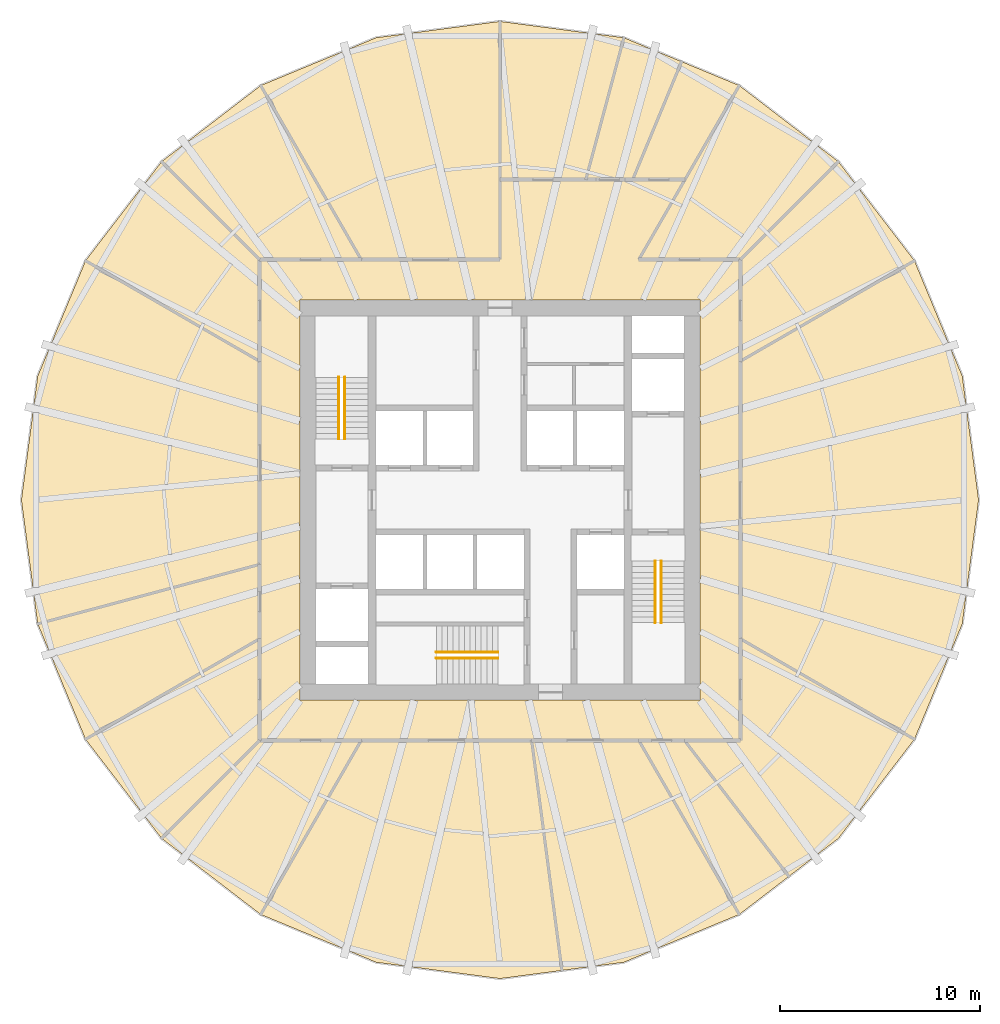
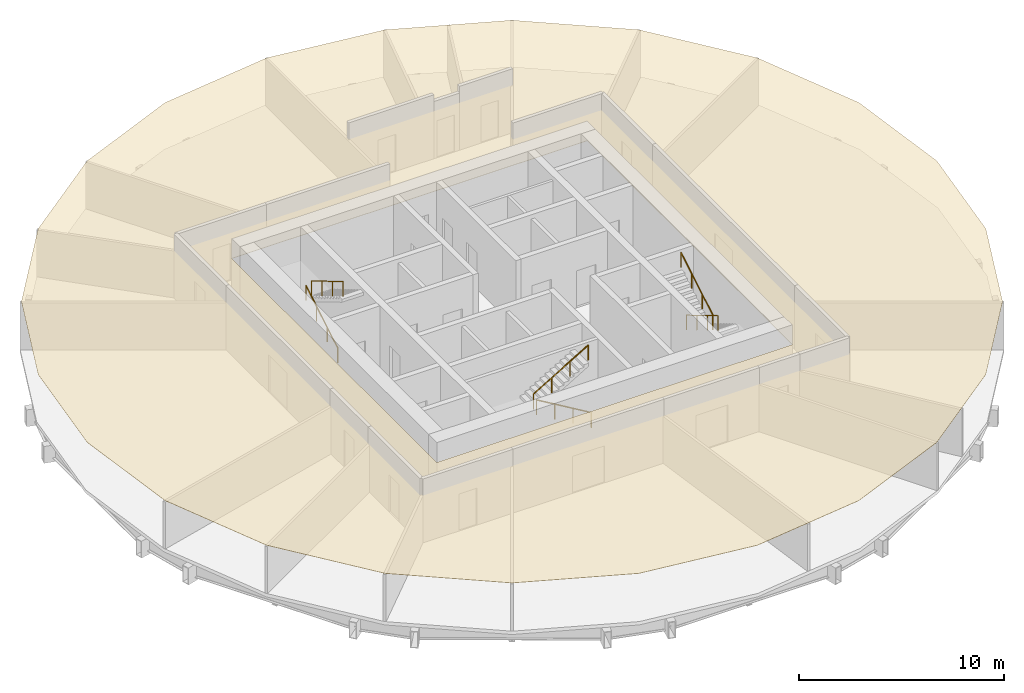
# One storey, part 6 of 6: 6 railings, 1 covering.
"""IFC4 building model written with IfcOpenShell, lengths in metres."""

from ifc_helpers import new_model, si_unit, direction, frame, origin, origin_2d, place, context, subcontext, project, spatial, polyline, circle, outline, extrude, material, layer, layer_set, type_object, element, save


model = new_model("IFC4")

# Units and contexts
model_context = context("Model", 3, precision=1e-05, world=origin(), true_north=direction((0.0, 1.0)))
body_context = subcontext(model_context, "Body", "Model", "MODEL_VIEW")
ifc_project = project(units=[si_unit("LENGTHUNIT", "METRE"), si_unit("AREAUNIT", "SQUARE_METRE"), si_unit("VOLUMEUNIT", "CUBIC_METRE"), si_unit("PLANEANGLEUNIT", "RADIAN"), si_unit("MASSUNIT", "GRAM", prefix="KILO")], contexts=[model_context])

# Site, building, storey
site_placement = place(None, origin())
site = spatial("IfcSite", under=ifc_project, at=site_placement, CompositionType="ELEMENT")
building_placement = place(site_placement, origin())
building = spatial("IfcBuilding", under=site, at=building_placement, Name="Golbaran Civic Tower", CompositionType="ELEMENT")
storey_placement = place(building_placement, frame((0.0, 0.0, 73.0)))
storey = spatial("IfcBuildingStorey", under=building, at=storey_placement, Name="L17", CompositionType="ELEMENT", Elevation=73.0)

# Railings
ifc_material_1 = material(Name="Stainless steel", Category="steel")
railing_type = type_object("IfcRailingType", Name="STAIR HANDRAIL 900", PredefinedType="HANDRAIL", material=ifc_material_1)
railing_1_placement = place(storey_placement, frame((-8.050048828125, 3.050048828125, 0.166748046875)))
element("IfcRailing", 1, at=railing_1_placement, inside=storey, type_object=railing_type, Name="Stair S1 handrail flight 1 L17", PredefinedType="HANDRAIL", context=body_context, shape_type="SweptSolid", body=[
    extrude(circle(Radius=0.02392578125, at=origin_2d()), frame((0.0, 0.0, 0.8759765625), z_axis=(0.0, 0.859290745958, 0.51148745235), x_axis=(-1.0, 0.0, 0.0)), (0.0, 0.0, 1.0), 3.584228515625),
    extrude(circle(Radius=0.02099609375, at=origin_2d()), origin(), (0.0, 0.0, 1.0), 0.851806640625),
    extrude(circle(Radius=0.02099609375, at=origin_2d()), frame((0.0, 1.026611328125, 0.611083984375)), (0.0, 0.0, 1.0), 0.851806640625),
    extrude(circle(Radius=0.02099609375, at=origin_2d()), frame((0.0, 2.05322265625, 1.22216796875)), (0.0, 0.0, 1.0), 0.851806640625),
    extrude(circle(Radius=0.02099609375, at=origin_2d()), frame((0.0, 3.079833984375, 1.833251953125)), (0.0, 0.0, 1.0), 0.851806640625),
])
for number, where, name in (
    (2, (-7.75, 6.1298828125, 2.166748046875), "Stair S1 handrail flight 2 L17"),
    (3, (8.050048828125, -3.050048828125, 0.166748046875), "Stair S2 handrail flight 1 L17"),
):
    element("IfcRailing", number, at=place(storey_placement, frame(where)), inside=storey, type_object=railing_type, Name=name, PredefinedType="HANDRAIL", context=body_context, shape_type="SweptSolid", body=[
        extrude(circle(Radius=0.02392578125, at=origin_2d()), frame((0.0, 0.0, 0.8759765625), z_axis=(0.0, -0.859290745958, 0.51148745235), x_axis=(1.0, 0.0, 0.0)), (0.0, 0.0, 1.0), 3.584228515625),
        extrude(circle(Radius=0.02099609375, at=origin_2d()), origin(), (0.0, 0.0, 1.0), 0.851806640625),
        extrude(circle(Radius=0.02099609375, at=origin_2d()), frame((0.0, -1.026611328125, 0.611083984375)), (0.0, 0.0, 1.0), 0.851806640625),
        extrude(circle(Radius=0.02099609375, at=origin_2d()), frame((0.0, -2.05322265625, 1.22216796875)), (0.0, 0.0, 1.0), 0.851806640625),
        extrude(circle(Radius=0.02099609375, at=origin_2d()), frame((0.0, -3.079833984375, 1.833251953125)), (0.0, 0.0, 1.0), 0.851806640625),
    ])
railing_2_placement = place(storey_placement, frame((7.75, -6.1298828125, 2.166748046875)))
element("IfcRailing", 4, at=railing_2_placement, inside=storey, type_object=railing_type, Name="Stair S2 handrail flight 2 L17", PredefinedType="HANDRAIL", context=body_context, shape_type="SweptSolid", body=[
    extrude(circle(Radius=0.02392578125, at=origin_2d()), frame((0.0, 0.0, 0.8759765625), z_axis=(0.0, 0.859290745958, 0.51148745235), x_axis=(-1.0, 0.0, 0.0)), (0.0, 0.0, 1.0), 3.584228515625),
    extrude(circle(Radius=0.02099609375, at=origin_2d()), origin(), (0.0, 0.0, 1.0), 0.851806640625),
    extrude(circle(Radius=0.02099609375, at=origin_2d()), frame((0.0, 1.026611328125, 0.611083984375)), (0.0, 0.0, 1.0), 0.851806640625),
    extrude(circle(Radius=0.02099609375, at=origin_2d()), frame((0.0, 2.05322265625, 1.22216796875)), (0.0, 0.0, 1.0), 0.851806640625),
    extrude(circle(Radius=0.02099609375, at=origin_2d()), frame((0.0, 3.079833984375, 1.833251953125)), (0.0, 0.0, 1.0), 0.851806640625),
])
railing_3_placement = place(storey_placement, frame((-0.10009765625, -7.89990234375, 0.166748046875)))
element("IfcRailing", 5, at=railing_3_placement, inside=storey, type_object=railing_type, Name="Stair S3 handrail flight 1 L17", PredefinedType="HANDRAIL", context=body_context, shape_type="SweptSolid", body=[
    extrude(circle(Radius=0.02392578125, at=origin_2d()), frame((0.0, 0.0, 0.8759765625), z_axis=(-0.859290745958, 0.0, 0.51148745235), x_axis=(0.0, -1.0, 0.0)), (0.0, 0.0, 1.0), 3.584228515625),
    extrude(circle(Radius=0.02099609375, at=origin_2d()), origin(), (0.0, 0.0, 1.0), 0.851806640625),
    extrude(circle(Radius=0.02099609375, at=origin_2d()), frame((-1.026611328125, 0.0, 0.611083984375)), (0.0, 0.0, 1.0), 0.851806640625),
    extrude(circle(Radius=0.02099609375, at=origin_2d()), frame((-2.05322265625, 0.0, 1.22216796875)), (0.0, 0.0, 1.0), 0.851806640625),
    extrude(circle(Radius=0.02099609375, at=origin_2d()), frame((-3.079833984375, 0.0, 1.833251953125)), (0.0, 0.0, 1.0), 0.851806640625),
])
railing_4_placement = place(storey_placement, frame((-3.179931640625, -7.60009765625, 2.166748046875)))
element("IfcRailing", 6, at=railing_4_placement, inside=storey, type_object=railing_type, Name="Stair S3 handrail flight 2 L17", PredefinedType="HANDRAIL", context=body_context, shape_type="SweptSolid", body=[
    extrude(circle(Radius=0.02392578125, at=origin_2d()), frame((0.0, 0.0, 0.8759765625), z_axis=(0.859290745958, 0.0, 0.51148745235), x_axis=(0.0, 1.0, 0.0)), (0.0, 0.0, 1.0), 3.584228515625),
    extrude(circle(Radius=0.02099609375, at=origin_2d()), origin(), (0.0, 0.0, 1.0), 0.851806640625),
    extrude(circle(Radius=0.02099609375, at=origin_2d()), frame((1.026611328125, 0.0, 0.611083984375)), (0.0, 0.0, 1.0), 0.851806640625),
    extrude(circle(Radius=0.02099609375, at=origin_2d()), frame((2.05322265625, 0.0, 1.22216796875)), (0.0, 0.0, 1.0), 0.851806640625),
    extrude(circle(Radius=0.02099609375, at=origin_2d()), frame((3.079833984375, 0.0, 1.833251953125)), (0.0, 0.0, 1.0), 0.851806640625),
])

# Covering
ifc_material_2 = material(Name="Mineral fibre tile on steel grid", Category="steel")
ifc_layer = layer(ifc_material_2, 0.02001953125, Name="Mineral fibre tile on steel grid")
ifc_layer_set = layer_set([ifc_layer], Name="Mineral fibre tile on steel grid")
covering_type = type_object("IfcCoveringType", Name="SUSPENDED CEILING 600 TILE 20", PredefinedType="CEILING", material=ifc_layer_set)
covering_placement = place(storey_placement, frame((0.0, 0.0, 2.800048828125)))
element("IfcCovering", 7, at=covering_placement, inside=storey, type_object=covering_type, Name="Suspended ceiling L17", PredefinedType="CEILING", context=body_context, shape_type="SweptSolid", body=[
    extrude(outline(polyline([(-20.70068359375, 11.951416015625), (-16.90185546875, 16.90185546875), (-11.951416015625, 20.70068359375), (-6.1865234375, 23.088623046875), (0.0, 23.903076171875), (6.1865234375, 23.088623046875), (11.951416015625, 20.70068359375), (16.90185546875, 16.90185546875), (20.70068359375, 11.951416015625), (23.088623046875, 6.1865234375), (23.903076171875, 0.0), (23.088623046875, -6.1865234375), (20.70068359375, -11.951416015625), (16.90185546875, -16.90185546875), (11.951416015625, -20.70068359375), (6.1865234375, -23.088623046875), (3.241943359375, -23.47607421875), (0.0, -23.903076171875), (-6.1865234375, -23.088623046875), (-11.951416015625, -20.70068359375), (-16.90185546875, -16.90185546875), (-20.70068359375, -11.951416015625), (-23.088623046875, -6.1865234375), (-23.903076171875, 0.0), (-23.088623046875, 6.1865234375), (-20.70068359375, 11.951416015625)]), holes=[polyline([(10.0, 10.0), (-10.0, 10.0), (-10.0, -10.0), (10.0, -10.0), (10.0, 10.0)])]), origin(), (0.0, 0.0, 1.0), 0.02001953125),
])

save(model, "model.ifc")
